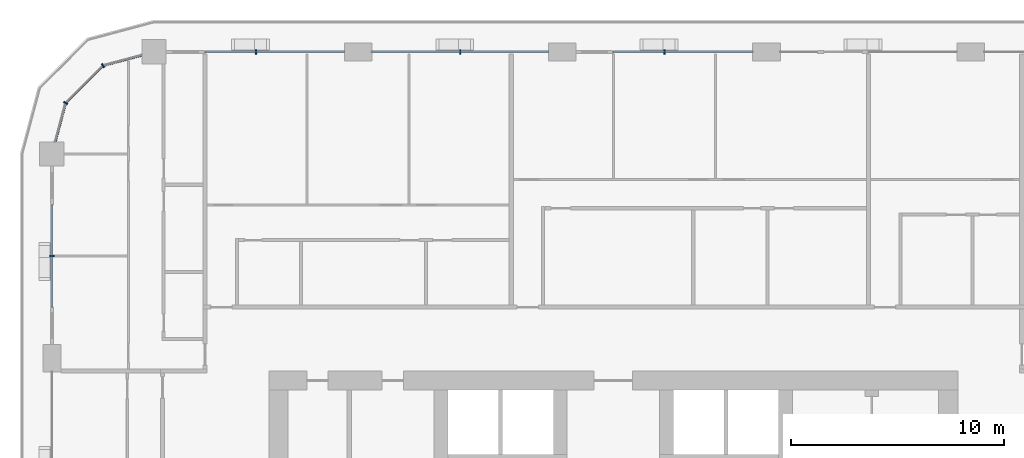
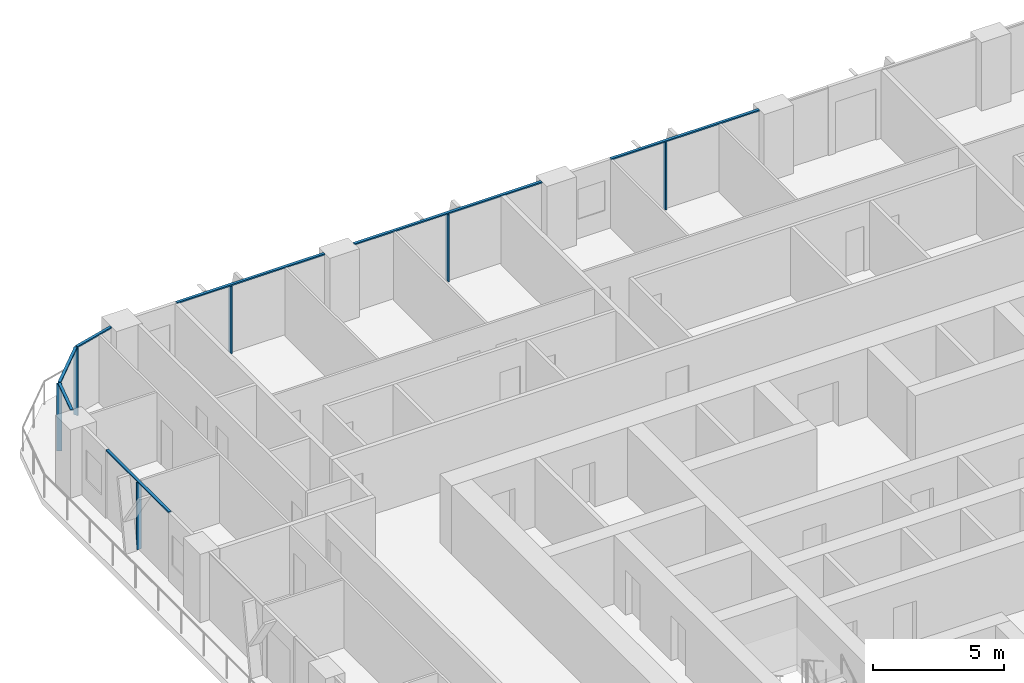
# One storey, part 5 of 21: 13 members, 5 elements without a shape of their own.
"""IFC4 building model written with IfcOpenShell, lengths in metres."""

from ifc_helpers import new_model, si_unit, direction, frame, origin, origin_2d, place, context, subcontext, project, spatial, rectangle, extrude, material, layer, layer_set, material_profile, profile_set, type_object, element, aggregate, save


model = new_model("IFC4")

# Units and contexts
model_context = context("Model", 3, precision=1e-05, world=origin(), true_north=direction((0.0, 1.0)))
body_context = subcontext(model_context, "Body", "Model", "MODEL_VIEW")
ifc_project = project(units=[si_unit("LENGTHUNIT", "METRE"), si_unit("AREAUNIT", "SQUARE_METRE"), si_unit("VOLUMEUNIT", "CUBIC_METRE"), si_unit("PLANEANGLEUNIT", "RADIAN"), si_unit("MASSUNIT", "GRAM", prefix="KILO")], contexts=[model_context])

# Site, building, storey
site_placement = place(None, origin())
site = spatial("IfcSite", under=ifc_project, at=site_placement, CompositionType="ELEMENT")
building_placement = place(site_placement, origin())
building = spatial("IfcBuilding", under=site, at=building_placement, Name="Madar Terraces", CompositionType="ELEMENT")
storey_placement = place(building_placement, frame((0.0, 0.0, 89.199951171875)))
storey = spatial("IfcBuildingStorey", under=building, at=storey_placement, Name="L22", CompositionType="ELEMENT", Elevation=89.199951171875)

# Curtain wall, member
ifc_material_1 = material(Name="Glass, ceramic frit dark grey, with black aluminium frame", Category="aluminium")
ifc_layer = layer(ifc_material_1, 0.199951171875)
ifc_layer_set = layer_set([ifc_layer], Name="Facade curtain wall, fritted glass")
curtain_wall_type = type_object("IfcCurtainWallType", Name="Facade curtain wall, fritted glass", PredefinedType="NOTDEFINED", material=ifc_layer_set)
curtain_wall_1_placement = place(storey_placement, origin())
curtain_wall_1 = element("IfcCurtainWall", 1, at=curtain_wall_1_placement, inside=storey, type_object=curtain_wall_type, Name="Outer skin curtain wall north bay 3", PredefinedType="NOTDEFINED")
ifc_material_2 = material(Name="Aluminium, black anodised", Category="aluminium")
ifc_material_profile_1 = material_profile(ifc_material_2, rectangle(XDim=0.199951171875, YDim=0.06005859375, at=origin_2d()), Name="Facade mullion 60x200")
ifc_profile_set_1 = profile_set([ifc_material_profile_1], Name="Aluminium, black anodised")
member_type_1 = type_object("IfcMemberType", Name="Facade mullion 60x200", PredefinedType="MULLION", material=ifc_profile_set_1)
member_1_placement = place(storey_placement, frame((33.60009765625, 52.800048828125, 0.0), z_axis=(0.0, 0.0, 1.0), x_axis=(0.0, -1.0, 0.0)))
member_1 = element("IfcMember", 2, at=member_1_placement, type_object=member_type_1, Name="Mullion 1", PredefinedType="MULLION", context=body_context, shape_type="SweptSolid", body=[
    extrude(rectangle(XDim=0.199951171875, YDim=0.06005859375, at=origin_2d()), origin(), (0.0, 0.0, 1.0), 3.14013671875),
])

curtain_wall_2_placement = place(storey_placement, origin())
curtain_wall_2 = element("IfcCurtainWall", 3, at=curtain_wall_2_placement, inside=storey, type_object=curtain_wall_type, Name="Outer skin curtain wall north bay 4", PredefinedType="NOTDEFINED")
member_2_placement = place(storey_placement, frame((24.0, 52.800048828125, 0.0), z_axis=(0.0, 0.0, 1.0), x_axis=(0.0, -1.0, 0.0)))
member_2 = element("IfcMember", 4, at=member_2_placement, type_object=member_type_1, Name="Mullion 1", PredefinedType="MULLION", context=body_context, shape_type="SweptSolid", body=[
    extrude(rectangle(XDim=0.199951171875, YDim=0.06005859375, at=origin_2d()), origin(), (0.0, 0.0, 1.0), 3.14013671875),
])

curtain_wall_3_placement = place(storey_placement, origin())
curtain_wall_3 = element("IfcCurtainWall", 5, at=curtain_wall_3_placement, inside=storey, type_object=curtain_wall_type, Name="Outer skin curtain wall north bay 5", PredefinedType="NOTDEFINED")
member_3_placement = place(storey_placement, frame((14.39990234375, 52.800048828125, 0.0), z_axis=(0.0, 0.0, 1.0), x_axis=(0.0, -1.0, 0.0)))
member_3 = element("IfcMember", 6, at=member_3_placement, type_object=member_type_1, Name="Mullion 1", PredefinedType="MULLION", context=body_context, shape_type="SweptSolid", body=[
    extrude(rectangle(XDim=0.199951171875, YDim=0.06005859375, at=origin_2d()), origin(), (0.0, 0.0, 1.0), 3.14013671875),
])

curtain_wall_4_placement = place(storey_placement, origin())
curtain_wall_4 = element("IfcCurtainWall", 7, at=curtain_wall_4_placement, inside=storey, type_object=curtain_wall_type, Name="Outer skin curtain wall west bay 1", PredefinedType="NOTDEFINED")
member_4_placement = place(storey_placement, frame((4.800048828125, 43.199951171875, 0.0), z_axis=(0.0, 0.0, 1.0), x_axis=(1.0, 0.0, 0.0)))
member_4 = element("IfcMember", 8, at=member_4_placement, type_object=member_type_1, Name="Mullion 1", PredefinedType="MULLION", context=body_context, shape_type="SweptSolid", body=[
    extrude(rectangle(XDim=0.199951171875, YDim=0.06005859375, at=origin_2d()), origin(), (0.0, 0.0, 1.0), 3.14013671875),
])

# Curtain wall, members
curtain_wall_5_placement = place(storey_placement, origin())
curtain_wall_5 = element("IfcCurtainWall", 9, at=curtain_wall_5_placement, inside=storey, type_object=curtain_wall_type, Name="Outer skin curtain wall north-west corner", PredefinedType="NOTDEFINED")
member_5_placement = place(storey_placement, frame((7.199951171875, 52.156982421875, 0.0), z_axis=(0.0, 0.0, 1.0), x_axis=(0.499999989586, -0.866025409797, 0.0)))
member_5 = element("IfcMember", 10, at=member_5_placement, type_object=member_type_1, Name="Mullion 1", PredefinedType="MULLION", context=body_context, shape_type="SweptSolid", body=[
    extrude(rectangle(XDim=0.199951171875, YDim=0.06005859375, at=origin_2d()), origin(), (0.0, 0.0, 1.0), 3.14013671875),
])
member_6_placement = place(storey_placement, frame((5.443115234375, 50.39990234375, 0.0), z_axis=(0.0, 0.0, 1.0), x_axis=(0.866025409797, -0.499999989586, 0.0)))
member_6 = element("IfcMember", 11, at=member_6_placement, type_object=member_type_1, Name="Mullion 2", PredefinedType="MULLION", context=body_context, shape_type="SweptSolid", body=[
    extrude(rectangle(XDim=0.199951171875, YDim=0.06005859375, at=origin_2d()), origin(), (0.0, 0.0, 1.0), 3.14013671875),
])

# Member
ifc_material_3 = material(Name="Aluminium, black anodised", Category="aluminium")
ifc_material_profile_2 = material_profile(ifc_material_3, rectangle(XDim=0.1201171875, YDim=0.06005859375, at=origin_2d()), Name="Facade transom 60x120")
ifc_profile_set_2 = profile_set([ifc_material_profile_2], Name="Aluminium, black anodised")
member_type_2 = type_object("IfcMemberType", Name="Facade transom 60x120", PredefinedType="USERDEFINED", material=ifc_profile_set_2)
member_7_placement = place(storey_placement, frame((37.75, 52.800048828125, 3.170166015625), z_axis=(-1.0, 0.0, 0.0), x_axis=(0.0, -1.0, 0.0)))
member_7 = element("IfcMember", 12, at=member_7_placement, type_object=member_type_2, Name="Transom 1", ObjectType="TRANSOM", PredefinedType="USERDEFINED", context=body_context, shape_type="SweptSolid", body=[
    extrude(rectangle(XDim=0.1201171875, YDim=0.06005859375, at=origin_2d()), origin(), (0.0, 0.0, 1.0), 6.550048828125),
])

aggregate(curtain_wall_1, [member_1, member_7])

member_8_placement = place(storey_placement, frame((28.14990234375, 52.800048828125, 3.170166015625), z_axis=(-1.0, 0.0, 0.0), x_axis=(0.0, -1.0, 0.0)))
member_8 = element("IfcMember", 13, at=member_8_placement, type_object=member_type_2, Name="Transom 1", ObjectType="TRANSOM", PredefinedType="USERDEFINED", context=body_context, shape_type="SweptSolid", body=[
    extrude(rectangle(XDim=0.1201171875, YDim=0.06005859375, at=origin_2d()), origin(), (0.0, 0.0, 1.0), 8.2998046875),
])

aggregate(curtain_wall_2, [member_2, member_8])

member_9_placement = place(storey_placement, frame((18.550048828125, 52.800048828125, 3.170166015625), z_axis=(-1.0, 0.0, 0.0), x_axis=(0.0, -1.0, 0.0)))
member_9 = element("IfcMember", 14, at=member_9_placement, type_object=member_type_2, Name="Transom 1", ObjectType="TRANSOM", PredefinedType="USERDEFINED", context=body_context, shape_type="SweptSolid", body=[
    extrude(rectangle(XDim=0.1201171875, YDim=0.06005859375, at=origin_2d()), origin(), (0.0, 0.0, 1.0), 6.550048828125),
])

aggregate(curtain_wall_3, [member_3, member_9])

member_10_placement = place(storey_placement, frame((4.800048828125, 45.60009765625, 3.170166015625), z_axis=(0.0, -1.0, 0.0), x_axis=(1.0, 0.0, 0.0)))
member_10 = element("IfcMember", 15, at=member_10_placement, type_object=member_type_2, Name="Transom 1", ObjectType="TRANSOM", PredefinedType="USERDEFINED", context=body_context, shape_type="SweptSolid", body=[
    extrude(rectangle(XDim=0.1201171875, YDim=0.06005859375, at=origin_2d()), origin(), (0.0, 0.0, 1.0), 4.800048828125),
])

aggregate(curtain_wall_4, [member_4, member_10])

member_11_placement = place(storey_placement, frame((9.02490234375, 52.64599609375, 3.170166015625), z_axis=(-0.965926950947, -0.258814847786, 0.0), x_axis=(0.258814847786, -0.965926950947, 0.0)))
member_11 = element("IfcMember", 16, at=member_11_placement, type_object=member_type_2, Name="Transom 1", ObjectType="TRANSOM", PredefinedType="USERDEFINED", context=body_context, shape_type="SweptSolid", body=[
    extrude(rectangle(XDim=0.1201171875, YDim=0.06005859375, at=origin_2d()), origin(), (0.0, 0.0, 1.0), 1.859130859375),
])

member_12_placement = place(storey_placement, frame((7.1787109375, 52.1357421875, 3.170166015625), z_axis=(-0.707056433593, -0.707157125196, 0.0), x_axis=(0.707157125196, -0.707056433593, 0.0)))
member_12 = element("IfcMember", 17, at=member_12_placement, type_object=member_type_2, Name="Transom 2", ObjectType="TRANSOM", PredefinedType="USERDEFINED", context=body_context, shape_type="SweptSolid", body=[
    extrude(rectangle(XDim=0.1201171875, YDim=0.06005859375, at=origin_2d()), origin(), (0.0, 0.0, 1.0), 2.424560546875),
])

member_13_placement = place(storey_placement, frame((5.435302734375, 50.37109375, 3.170166015625), z_axis=(-0.258782024434, -0.965935745187, 0.0), x_axis=(0.965935745187, -0.258782024434, 0.0)))
member_13 = element("IfcMember", 18, at=member_13_placement, type_object=member_type_2, Name="Transom 3", ObjectType="TRANSOM", PredefinedType="USERDEFINED", context=body_context, shape_type="SweptSolid", body=[
    extrude(rectangle(XDim=0.1201171875, YDim=0.06005859375, at=origin_2d()), origin(), (0.0, 0.0, 1.0), 1.859375),
])

aggregate(curtain_wall_5, [member_5, member_11, member_6, member_12, member_13])

save(model, "model.ifc")
